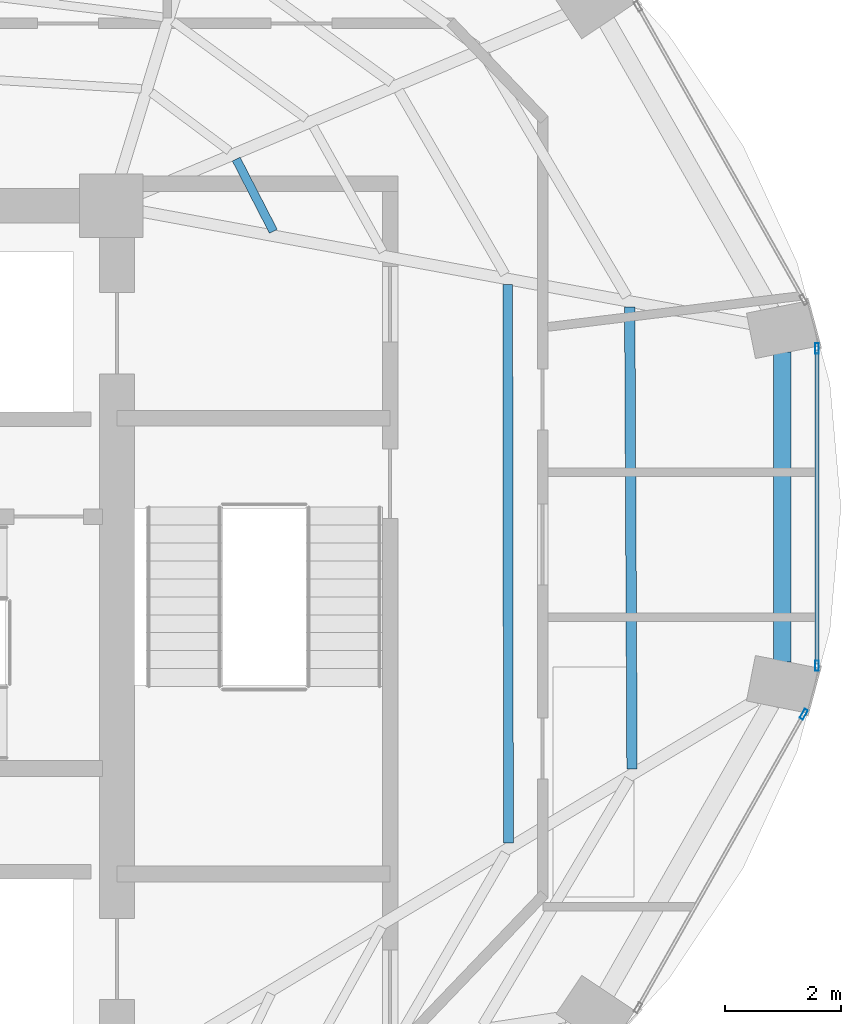
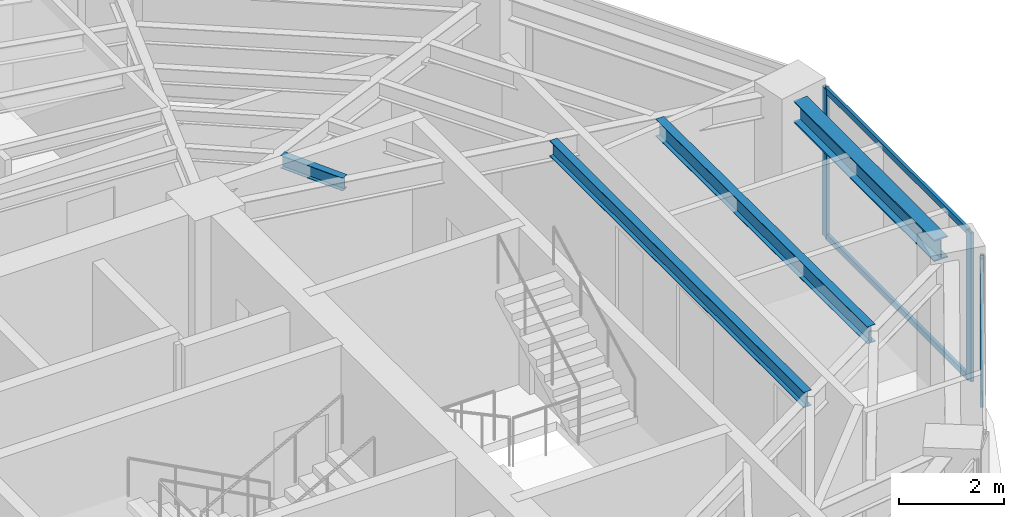
# One storey, part 12 of 21: 5 members, 4 beams, 2 elements without a shape of their own.
"""IFC4 building model written with IfcOpenShell, lengths in metres."""

from ifc_helpers import new_model, si_unit, direction, frame, origin, origin_2d, place, context, subcontext, project, spatial, hollow_rectangle, i_section, extrude, material, layer, layer_set, material_profile, profile_set, type_object, element, aggregate, save


model = new_model("IFC4")

# Units and contexts
model_context = context("Model", 3, precision=1e-05, world=origin(), true_north=direction((0.0, 1.0)))
body_context = subcontext(model_context, "Body", "Model", "MODEL_VIEW")
ifc_project = project(units=[si_unit("LENGTHUNIT", "METRE"), si_unit("AREAUNIT", "SQUARE_METRE"), si_unit("VOLUMEUNIT", "CUBIC_METRE"), si_unit("PLANEANGLEUNIT", "RADIAN"), si_unit("MASSUNIT", "GRAM", prefix="KILO")], contexts=[model_context])

# Site, building, storey
site_placement = place(None, origin())
site = spatial("IfcSite", under=ifc_project, at=site_placement, CompositionType="ELEMENT")
building_placement = place(site_placement, origin())
building = spatial("IfcBuilding", under=site, at=building_placement, Name="Lazwardi Medical Tower", CompositionType="ELEMENT")
storey_placement = place(building_placement, frame((0.0, 0.0, 216.719970703125)))
storey = spatial("IfcBuildingStorey", under=building, at=storey_placement, Name="L56", CompositionType="ELEMENT", Elevation=216.719970703125)

# Beams
ifc_material_1 = material(Name="Steel S355", Category="steel")
ifc_material_profile_1 = material_profile(ifc_material_1, i_section(OverallWidth=0.300048828125, OverallDepth=0.5, WebThickness=0.014404296875, FlangeThickness=0.028076171875, at=origin_2d()), Name="HEB 500")
ifc_profile_set_1 = profile_set([ifc_material_profile_1], Name="Steel S355")
beam_type_1 = type_object("IfcBeamType", Name="BM-RB-Z4", PredefinedType="BEAM", material=ifc_profile_set_1)
beam_1_placement = place(storey_placement, frame((57.18505859375, 27.72705078125, 3.197998046875), z_axis=(0.0, 1.0, 0.0), x_axis=(-1.0, 0.0, 0.0)))
element("IfcBeam", 1, at=beam_1_placement, inside=storey, type_object=beam_type_1, Name="Ring beam RB-05 B04 L56", PredefinedType="BEAM", context=body_context, shape_type="SweptSolid", body=[
    extrude(i_section(OverallWidth=0.300048828125, OverallDepth=0.5, WebThickness=0.014404296875, FlangeThickness=0.028076171875, at=origin_2d()), origin(), (0.0, 0.0, 1.0), 5.345947265625),
])
ifc_material_profile_2 = material_profile(ifc_material_1, i_section(OverallWidth=0.179931640625, OverallDepth=0.39990234375, WebThickness=0.008544921875, FlangeThickness=0.013427734375, at=origin_2d()), Name="IPE 400")
ifc_profile_set_2 = profile_set([ifc_material_profile_2], Name="Steel S355")
beam_type_2 = type_object("IfcBeamType", Name="BM-SJ-01", PredefinedType="JOIST", material=ifc_profile_set_2)
beam_2_placement = place(storey_placement, frame((54.592041015625, 25.879638671875, 3.248046875), z_axis=(-0.004929366644, 0.999987850598, 0.0), x_axis=(-0.999987850598, -0.004929366644, 0.0)))
element("IfcBeam", 2, at=beam_2_placement, inside=storey, type_object=beam_type_2, Name="Secondary joist SJ-01 R1 B04 L56", PredefinedType="JOIST", context=body_context, shape_type="SweptSolid", body=[
    extrude(i_section(OverallWidth=0.179931640625, OverallDepth=0.39990234375, WebThickness=0.008544921875, FlangeThickness=0.013427734375, at=origin_2d()), origin(), (0.0, 0.0, 1.0), 7.973876953125),
])
ifc_material_profile_3 = material_profile(ifc_material_1, i_section(OverallWidth=0.169921875, OverallDepth=0.360107421875, WebThickness=0.008056640625, FlangeThickness=0.0126953125, at=origin_2d()), Name="IPE 360")
ifc_profile_set_3 = profile_set([ifc_material_profile_3], Name="Steel S355")
beam_type_3 = type_object("IfcBeamType", Name="BM-SJ-02", PredefinedType="JOIST", material=ifc_profile_set_3)
beam_3_placement = place(storey_placement, frame((52.458984375, 24.602294921875, 3.26806640625), z_axis=(-0.001367606673, 0.999999064826, 0.0), x_axis=(-0.999999064826, -0.001367606673, 0.0)))
element("IfcBeam", 3, at=beam_3_placement, inside=storey, type_object=beam_type_3, Name="Secondary joist SJ-02 R2 B04 L56", PredefinedType="JOIST", context=body_context, shape_type="SweptSolid", body=[
    extrude(i_section(OverallWidth=0.169921875, OverallDepth=0.360107421875, WebThickness=0.008056640625, FlangeThickness=0.0126953125, at=origin_2d()), origin(), (0.0, 0.0, 1.0), 9.639892578125),
])
ifc_material_profile_4 = material_profile(ifc_material_1, i_section(OverallWidth=0.14990234375, OverallDepth=0.300048828125, WebThickness=0.007080078125, FlangeThickness=0.0107421875, at=origin_2d()), Name="IPE 300")
ifc_profile_set_4 = profile_set([ifc_material_profile_4], Name="Steel S355")
beam_type_4 = type_object("IfcBeamType", Name="BM-SJ-03", PredefinedType="JOIST", material=ifc_profile_set_4)
beam_4_placement = place(storey_placement, frame((48.39990234375, 35.159912109375, 3.298095703125), z_axis=(-0.457285056668, 0.889320176848, 0.0), x_axis=(-0.889320176848, -0.457285056668, 0.0)))
element("IfcBeam", 4, at=beam_4_placement, inside=storey, type_object=beam_type_4, Name="Secondary joist SJ-03 R4 B05 L56", PredefinedType="JOIST", context=body_context, shape_type="SweptSolid", body=[
    extrude(i_section(OverallWidth=0.14990234375, OverallDepth=0.300048828125, WebThickness=0.007080078125, FlangeThickness=0.0107421875, at=origin_2d()), origin(), (0.0, 0.0, 1.0), 1.402099609375),
])

# Curtain wall, member
ifc_material_2 = material(Name="Anodised bronze aluminium and solar control glazing", Category="aluminium")
ifc_layer = layer(ifc_material_2, 0.18994140625)
ifc_layer_set = layer_set([ifc_layer], Name="Anodised bronze aluminium and solar control glazing")
curtain_wall_type = type_object("IfcCurtainWallType", Name="CW-SYS-04", PredefinedType="NOTDEFINED", material=ifc_layer_set)
curtain_wall_1_placement = place(storey_placement, origin())
curtain_wall_1 = element("IfcCurtainWall", 5, at=curtain_wall_1_placement, inside=storey, type_object=curtain_wall_type, Name="L56 Unitised bronze curtain wall CW-04", PredefinedType="NOTDEFINED")
ifc_material_3 = material(Name="Anodised bronze aluminium", Category="aluminium")
ifc_material_profile_5 = material_profile(ifc_material_3, hollow_rectangle(XDim=0.06494140625, YDim=0.179931640625, WallThickness=0.00390625, at=origin_2d()), Name="ALU-MULLION 180x65x4")
ifc_profile_set_5 = profile_set([ifc_material_profile_5], Name="Anodised bronze aluminium")
member_type_1 = type_object("IfcMemberType", Name="CW-MUL-03", PredefinedType="MULLION", material=ifc_profile_set_5)
member_1_placement = place(storey_placement, frame((57.557373046875, 26.82177734375, 0.0), z_axis=(0.0, 0.0, 1.0), x_axis=(-0.870651436011, 0.491900474661, 0.0)))
member_1 = element("IfcMember", 6, at=member_1_placement, type_object=member_type_1, Name="CW-04 mullion 2", PredefinedType="MULLION", context=body_context, shape_type="SweptSolid", body=[
    extrude(hollow_rectangle(XDim=0.06494140625, YDim=0.179931640625, WallThickness=0.00390625, at=origin_2d()), origin(), (0.0, 0.0, 1.0), 3.447998046875),
])
aggregate(curtain_wall_1, [member_1])

# Curtain wall, members
curtain_wall_2_placement = place(storey_placement, origin())
curtain_wall_2 = element("IfcCurtainWall", 7, at=curtain_wall_2_placement, inside=storey, type_object=curtain_wall_type, Name="L56 Unitised bronze curtain wall CW-04", PredefinedType="NOTDEFINED")
member_2_placement = place(storey_placement, frame((57.7841796875, 27.659423828125, 0.0), z_axis=(0.0, 0.0, 1.0), x_axis=(-1.0, 0.0, 0.0)))
member_2 = element("IfcMember", 8, at=member_2_placement, type_object=member_type_1, Name="CW-04 mullion 1", PredefinedType="MULLION", context=body_context, shape_type="SweptSolid", body=[
    extrude(hollow_rectangle(XDim=0.06494140625, YDim=0.179931640625, WallThickness=0.00390625, at=origin_2d()), origin(), (0.0, 0.0, 1.0), 3.447998046875),
])
member_3_placement = place(storey_placement, frame((57.7841796875, 33.140380859375, 0.0), z_axis=(0.0, 0.0, 1.0), x_axis=(-1.0, 0.0, 0.0)))
member_3 = element("IfcMember", 9, at=member_3_placement, type_object=member_type_1, Name="CW-04 mullion 2", PredefinedType="MULLION", context=body_context, shape_type="SweptSolid", body=[
    extrude(hollow_rectangle(XDim=0.06494140625, YDim=0.179931640625, WallThickness=0.00390625, at=origin_2d()), origin(), (0.0, 0.0, 1.0), 3.447998046875),
])
ifc_material_profile_6 = material_profile(ifc_material_3, hollow_rectangle(XDim=0.06494140625, YDim=0.139892578125, WallThickness=0.00341796875, at=origin_2d()), Name="ALU-TRANSOM 140x65x3.5")
ifc_profile_set_6 = profile_set([ifc_material_profile_6], Name="Anodised bronze aluminium")
member_type_2 = type_object("IfcMemberType", Name="CW-TRN-03", PredefinedType="USERDEFINED", material=ifc_profile_set_6)
member_4_placement = place(storey_placement, frame((57.7841796875, 27.69189453125, 0.032470703125), z_axis=(0.0, 1.0, 0.0), x_axis=(-1.0, 0.0, 0.0)))
member_4 = element("IfcMember", 10, at=member_4_placement, type_object=member_type_2, Name="CW-04 transom 1.1", ObjectType="TRANSOM", PredefinedType="USERDEFINED", context=body_context, shape_type="SweptSolid", body=[
    extrude(hollow_rectangle(XDim=0.06494140625, YDim=0.139892578125, WallThickness=0.00341796875, at=origin_2d()), origin(), (0.0, 0.0, 1.0), 5.416015625),
])
member_5_placement = place(storey_placement, frame((57.7841796875, 27.69189453125, 3.41552734375), z_axis=(0.0, 1.0, 0.0), x_axis=(-1.0, 0.0, 0.0)))
member_5 = element("IfcMember", 11, at=member_5_placement, type_object=member_type_2, Name="CW-04 transom 1.2", ObjectType="TRANSOM", PredefinedType="USERDEFINED", context=body_context, shape_type="SweptSolid", body=[
    extrude(hollow_rectangle(XDim=0.06494140625, YDim=0.139892578125, WallThickness=0.00341796875, at=origin_2d()), origin(), (0.0, 0.0, 1.0), 5.416015625),
])
aggregate(curtain_wall_2, [member_2, member_3, member_4, member_5])

save(model, "model.ifc")
